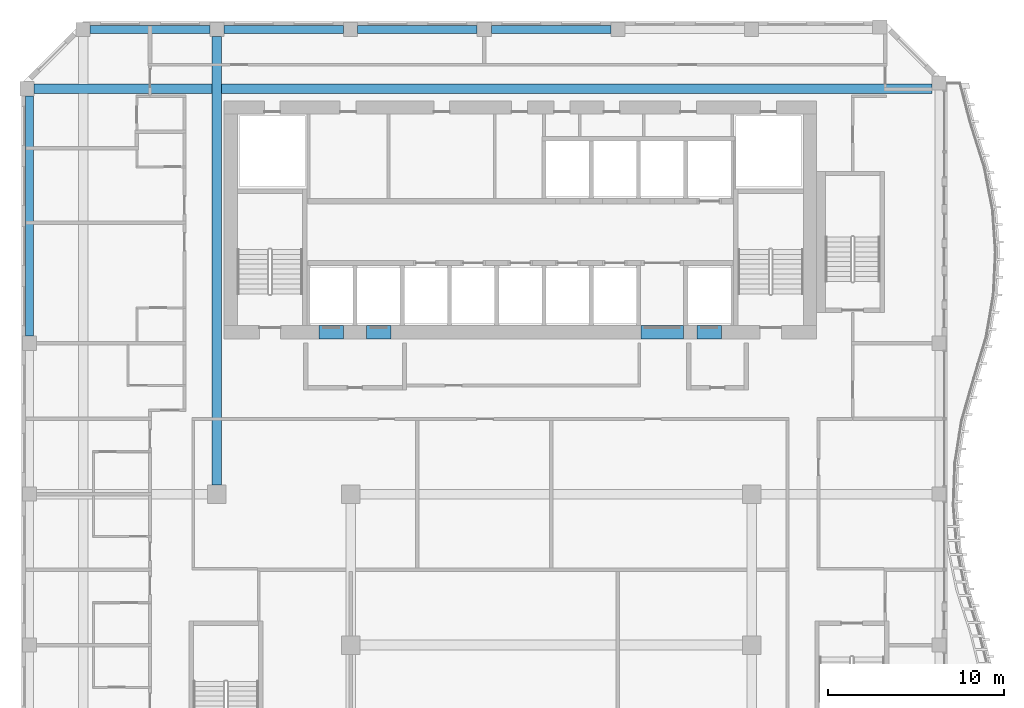
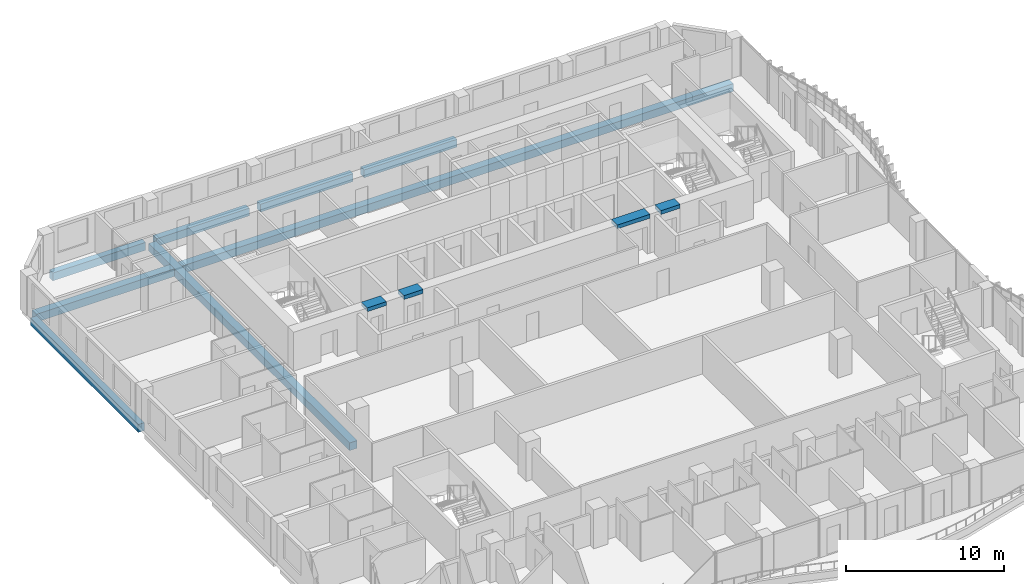
# One storey, part 7 of 24: 11 beams.
"""IFC4 building model written with IfcOpenShell, lengths in metres."""

from ifc_helpers import new_model, si_unit, direction, frame, origin, origin_2d, place, context, subcontext, project, spatial, rectangle, extrude, source, transform, mapped, material, material_profile, profile_set, type_object, element, save


model = new_model("IFC4")

# Units and contexts
model_context = context("Model", 3, precision=1e-05, world=origin(), true_north=direction((0.0, 1.0)))
body_context = subcontext(model_context, "Body", "Model", "MODEL_VIEW")
ifc_project = project(units=[si_unit("LENGTHUNIT", "METRE"), si_unit("AREAUNIT", "SQUARE_METRE"), si_unit("VOLUMEUNIT", "CUBIC_METRE"), si_unit("PLANEANGLEUNIT", "RADIAN"), si_unit("MASSUNIT", "GRAM", prefix="KILO")], contexts=[model_context])

# Site, building, storey
site_placement = place(None, origin())
site = spatial("IfcSite", under=ifc_project, at=site_placement, CompositionType="ELEMENT")
building_placement = place(site_placement, origin())
building = spatial("IfcBuilding", under=site, at=building_placement, Name="Kilnfold Tower and Market Hall", CompositionType="ELEMENT")
storey_placement = place(building_placement, frame((0.0, 0.0, 192.300048828125)))
storey = spatial("IfcBuildingStorey", under=building, at=storey_placement, Name="L46", CompositionType="ELEMENT", Elevation=192.300048828125)

# Beams
ifc_material_1 = material(Name="Concrete C45", Category="concrete")
ifc_material_profile_1 = material_profile(ifc_material_1, rectangle(XDim=0.449951171875, YDim=0.60009765625, at=origin_2d()), Name="RC 450x600")
ifc_profile_set_1 = profile_set([ifc_material_profile_1], Name="Concrete C45")
beam_type_1 = type_object("IfcBeamType", Name="EDGE BEAM 450X600 C45", PredefinedType="BEAM", material=ifc_profile_set_1)
shared_shape_1 = source(origin(), body_context, "Body", "SweptSolid", [
    extrude(rectangle(XDim=0.449951171875, YDim=0.60009765625, at=origin_2d()), origin(), (0.0, 0.0, 1.0), 6.783447265625),
])
for number, where, z_axis, x_axis, name in (
    (1, (-23.35009765625, 25.800048828125, -0.580078125), (1.0, 0.0, 0.0), (0.0, 1.0, 0.0), "Beam EB600-B5.59"),
    (2, (-8.183349609375, 25.800048828125, -0.580078125), (1.0, 0.0, 0.0), (0.0, 1.0, 0.0), "Beam EB600-B5.61"),
    (3, (-0.60009765625, 25.800048828125, -0.580078125), (1.0, 0.0, 0.0), (0.0, 1.0, 0.0), "Beam EB600-B5.62"),
):
    element("IfcBeam", number, at=place(storey_placement, frame(where, z_axis=z_axis, x_axis=x_axis)), inside=storey, type_object=beam_type_1, Name=name, PredefinedType="BEAM", context=body_context, shape_type="MappedRepresentation", body=[
        mapped(shared_shape_1, transform((0.0, 0.0, 0.0))),
    ])
shared_shape_2 = source(origin(), body_context, "Body", "SweptSolid", [
    extrude(rectangle(XDim=0.449951171875, YDim=0.60009765625, at=origin_2d()), origin(), (0.0, 0.0, 1.0), 6.783203125),
])
beam_1_placement = place(storey_placement, frame((-15.7666015625, 25.800048828125, -0.580078125), z_axis=(1.0, 0.0, 0.0), x_axis=(0.0, 1.0, 0.0)))
element("IfcBeam", 4, at=beam_1_placement, inside=storey, type_object=beam_type_1, Name="Beam EB600-B5.60", PredefinedType="BEAM", context=body_context, shape_type="MappedRepresentation", body=[
    mapped(shared_shape_2, transform((0.0, 0.0, 0.0))),
])
ifc_material_2 = material(Name="Concrete C45", Category="concrete")
ifc_material_profile_2 = material_profile(ifc_material_2, rectangle(XDim=0.550048828125, YDim=0.60009765625, at=origin_2d()), Name="RC 550x600")
ifc_profile_set_2 = profile_set([ifc_material_profile_2], Name="Concrete C45")
beam_type_2 = type_object("IfcBeamType", Name="BEAM 550X600 C45", PredefinedType="BEAM", material=ifc_profile_set_2)
shared_shape_3 = source(origin(), body_context, "Body", "SweptSolid", [
    extrude(rectangle(XDim=0.550048828125, YDim=0.60009765625, at=origin_2d()), origin(), (0.0, 0.0, 1.0), 50.931640625),
])
beam_2_placement = place(storey_placement, frame((-26.53173828125, 22.429931640625, -0.580078125), z_axis=(1.0, 0.0, 0.0), x_axis=(0.0, 1.0, 0.0)))
element("IfcBeam", 5, at=beam_2_placement, inside=storey, type_object=beam_type_2, Name="Beam BB600-B5.58", PredefinedType="BEAM", context=body_context, shape_type="MappedRepresentation", body=[
    mapped(shared_shape_3, transform((0.0, 0.0, 0.0))),
])
shared_shape_4 = source(origin(), body_context, "Body", "SweptSolid", [
    extrude(rectangle(XDim=0.449951171875, YDim=0.60009765625, at=origin_2d()), origin(), (0.0, 0.0, 1.0), 13.6318359375),
])
beam_3_placement = place(storey_placement, frame((-26.800048828125, 8.39990234375, -0.580078125), z_axis=(0.0, 1.0, 0.0), x_axis=(-1.0, 0.0, 0.0)))
element("IfcBeam", 6, at=beam_3_placement, inside=storey, type_object=beam_type_1, Name="Beam EB600-B5.69", PredefinedType="BEAM", context=body_context, shape_type="MappedRepresentation", body=[
    mapped(shared_shape_4, transform((0.0, 0.0, 0.0))),
])
shared_shape_5 = source(origin(), body_context, "Body", "SweptSolid", [
    extrude(rectangle(XDim=0.550048828125, YDim=0.60009765625, at=origin_2d()), origin(), (0.0, 0.0, 1.0), 25.4375),
])
beam_4_placement = place(storey_placement, frame((-16.169921875, -0.03759765625, -0.580078125), z_axis=(0.0, 1.0, 0.0), x_axis=(-1.0, 0.0, 0.0)))
element("IfcBeam", 7, at=beam_4_placement, inside=storey, type_object=beam_type_2, Name="Beam BB600-B5.80", PredefinedType="BEAM", context=body_context, shape_type="MappedRepresentation", body=[
    mapped(shared_shape_5, transform((0.0, 0.0, 0.0))),
])
ifc_material_3 = material(Name="Concrete C60", Category="concrete")
ifc_material_profile_3 = material_profile(ifc_material_3, rectangle(XDim=0.75, YDim=0.300048828125, at=origin_2d()), Name="RC 750x300")
ifc_profile_set_3 = profile_set([ifc_material_profile_3], Name="Concrete C60")
beam_type_3 = type_object("IfcBeamType", Name="COUPLING BEAM 750X300 C60", PredefinedType="BEAM", material=ifc_profile_set_3)
shared_shape_6 = source(origin(), body_context, "Body", "SweptSolid", [
    extrude(rectangle(XDim=0.75, YDim=0.300048828125, at=origin_2d()), origin(), (0.0, 0.0, 1.0), 1.400146484375),
])
beam_5_placement = place(storey_placement, frame((-10.3701171875, 8.625, 2.849853515625), z_axis=(1.0, 0.0, 0.0), x_axis=(0.0, 1.0, 0.0)))
element("IfcBeam", 8, at=beam_5_placement, inside=storey, type_object=beam_type_3, Name="Coupling beam CB300-60-CORE.37", PredefinedType="BEAM", context=body_context, shape_type="MappedRepresentation", body=[
    mapped(shared_shape_6, transform((0.0, 0.0, 0.0))),
])
shared_shape_7 = source(origin(), body_context, "Body", "SweptSolid", [
    extrude(rectangle(XDim=0.75, YDim=0.300048828125, at=origin_2d()), origin(), (0.0, 0.0, 1.0), 1.39990234375),
])
for number, where, z_axis, x_axis, name in (
    (9, (-7.68994140625, 8.625, 2.849853515625), (1.0, 0.0, 0.0), (0.0, 1.0, 0.0), "Coupling beam CB300-60-CORE.38"),
    (10, (11.070068359375, 8.625, 2.849853515625), (1.0, 0.0, 0.0), (0.0, 1.0, 0.0), "Coupling beam CB300-60-CORE.40"),
):
    element("IfcBeam", number, at=place(storey_placement, frame(where, z_axis=z_axis, x_axis=x_axis)), inside=storey, type_object=beam_type_3, Name=name, PredefinedType="BEAM", context=body_context, shape_type="MappedRepresentation", body=[
        mapped(shared_shape_7, transform((0.0, 0.0, 0.0))),
    ])
shared_shape_8 = source(origin(), body_context, "Body", "SweptSolid", [
    extrude(rectangle(XDim=0.75, YDim=0.300048828125, at=origin_2d()), origin(), (0.0, 0.0, 1.0), 2.400146484375),
])
beam_6_placement = place(storey_placement, frame((7.889892578125, 8.625, 2.849853515625), z_axis=(1.0, 0.0, 0.0), x_axis=(0.0, 1.0, 0.0)))
element("IfcBeam", 11, at=beam_6_placement, inside=storey, type_object=beam_type_3, Name="Coupling beam CB300-60-CORE.39", PredefinedType="BEAM", context=body_context, shape_type="MappedRepresentation", body=[
    mapped(shared_shape_8, transform((0.0, 0.0, 0.0))),
])

save(model, "model.ifc")
